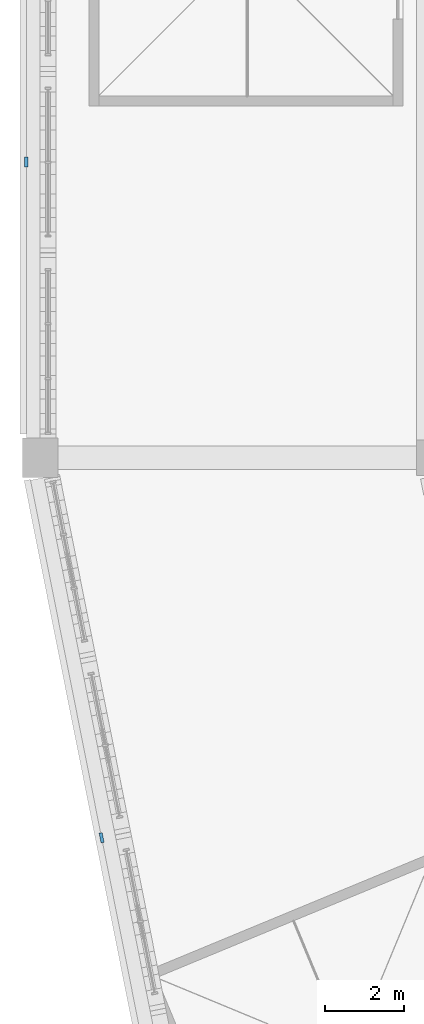
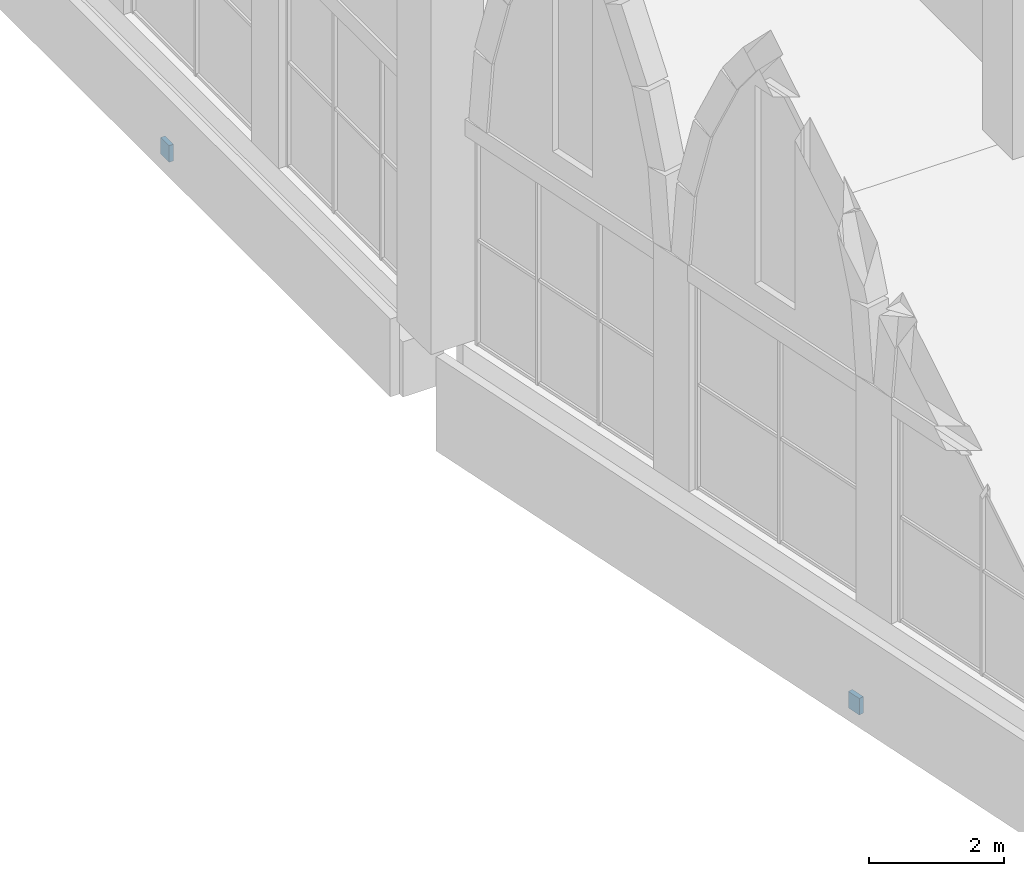
# One storey, part 90 of 130: 2 discrete accessories.
"""IFC4 building model written with IfcOpenShell, lengths in metres."""

from ifc_helpers import new_model, si_unit, direction, frame, origin, origin_2d, place, context, subcontext, project, spatial, rectangle, extrude, material, layer, layer_set, type_object, element, save


model = new_model("IFC4")

# Units and contexts
model_context = context("Model", 3, precision=1e-05, world=origin(), true_north=direction((0.0, 1.0)))
body_context = subcontext(model_context, "Body", "Model", "MODEL_VIEW")
ifc_project = project(units=[si_unit("LENGTHUNIT", "METRE"), si_unit("AREAUNIT", "SQUARE_METRE"), si_unit("VOLUMEUNIT", "CUBIC_METRE"), si_unit("PLANEANGLEUNIT", "RADIAN"), si_unit("MASSUNIT", "GRAM", prefix="KILO")], contexts=[model_context])

# Site, building, storey
site_placement = place(None, origin())
site = spatial("IfcSite", under=ifc_project, at=site_placement, CompositionType="ELEMENT")
building_placement = place(site_placement, origin())
building = spatial("IfcBuilding", under=site, at=building_placement, Name="Ogive Plaza Stadium", CompositionType="ELEMENT")
storey_placement = place(building_placement, frame((0.0, 0.0, 22.5)))
storey = spatial("IfcBuildingStorey", under=building, at=storey_placement, Name="L05", CompositionType="ELEMENT", Elevation=22.5)

# Discrete accessories
ifc_material = material(Name="Steel ASTM A572 Grade 50", Category="steel")
ifc_layer = layer(ifc_material, 0.080078125)
ifc_layer_set = layer_set([ifc_layer], Name="Steel ASTM A572 Grade 50")
discrete_accessory_type = type_object("IfcDiscreteAccessoryType", Name="Spandrel cladding bracket 250x300", PredefinedType="BRACKET", material=ifc_layer_set)
for number, where, z_axis, x_axis, name in (
    (1, (-82.440185546875, -62.135498046875, -1.60986328125), (0.0, 0.0, 1.0), (-0.195090321965, 0.980785280413, 0.0), "SPANDREL BRACKET B20 L05"),
    (2, (-84.35009765625, -45.0, -1.31005859375), (0.0, 0.0, 1.0), (0.0, 1.0, 0.0), "SPANDREL BRACKET B21 L05"),
):
    element("IfcDiscreteAccessory", number, at=place(storey_placement, frame(where, z_axis=z_axis, x_axis=x_axis)), inside=storey, type_object=discrete_accessory_type, Name=name, PredefinedType="BRACKET", context=body_context, shape_type="SweptSolid", body=[
        extrude(rectangle(XDim=0.25, YDim=0.080078125, at=origin_2d()), origin(), (0.0, 0.0, 1.0), 0.300048828125),
    ])

save(model, "model.ifc")
